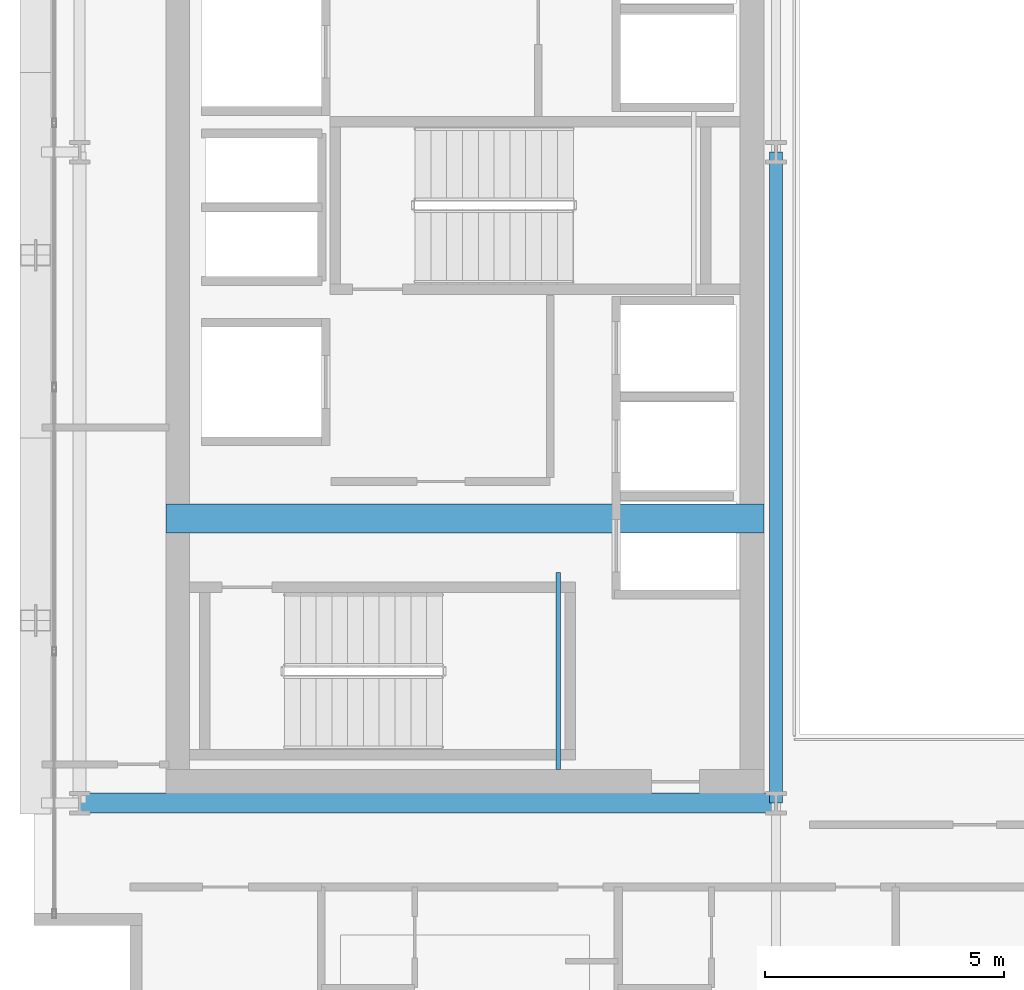
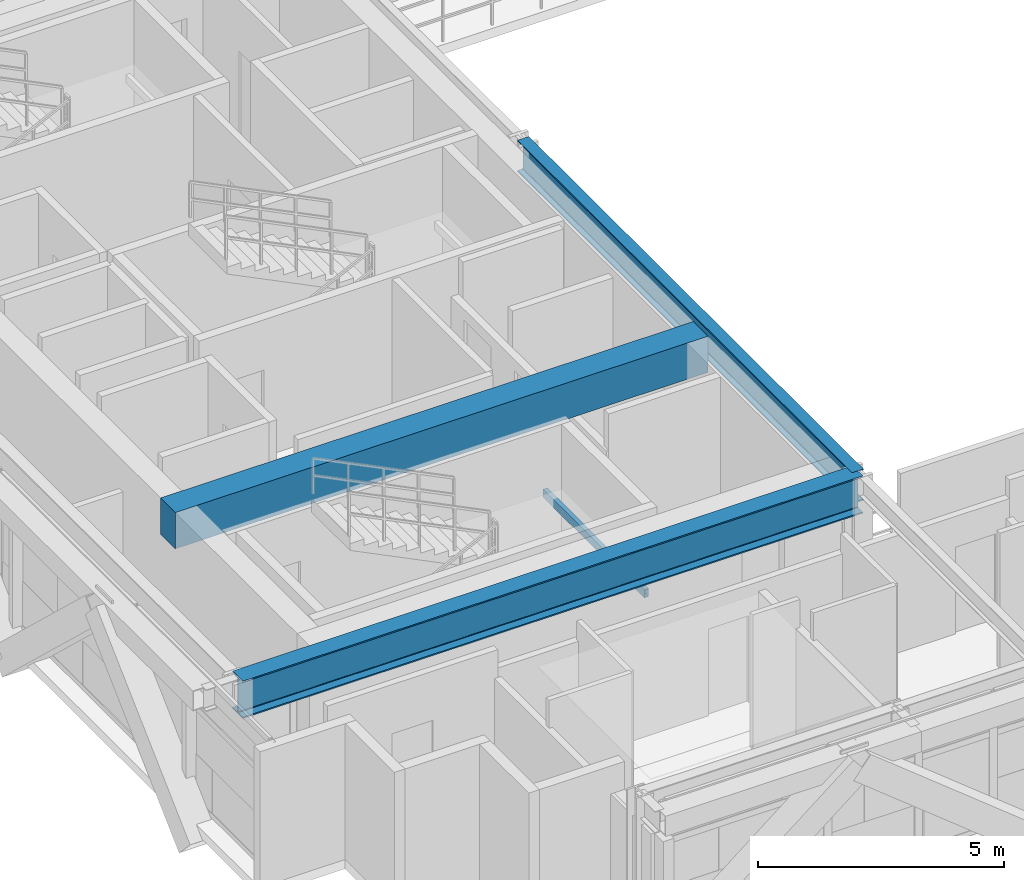
# One storey, part 5 of 31: 4 beams.
"""IFC4 building model written with IfcOpenShell, lengths in metres."""

from ifc_helpers import new_model, si_unit, direction, frame, origin, origin_2d, place, context, subcontext, project, spatial, rectangle, hollow_rectangle, i_section, extrude, source, transform, mapped, material, material_profile, profile_set, type_object, element, save


model = new_model("IFC4")

# Units and contexts
model_context = context("Model", 3, precision=1e-05, world=origin(), true_north=direction((0.0, 1.0)))
body_context = subcontext(model_context, "Body", "Model", "MODEL_VIEW")
ifc_project = project(units=[si_unit("LENGTHUNIT", "METRE"), si_unit("AREAUNIT", "SQUARE_METRE"), si_unit("VOLUMEUNIT", "CUBIC_METRE"), si_unit("PLANEANGLEUNIT", "RADIAN"), si_unit("MASSUNIT", "GRAM", prefix="KILO")], contexts=[model_context])

# Site, building, storey
site_placement = place(None, origin())
site = spatial("IfcSite", under=ifc_project, at=site_placement, CompositionType="ELEMENT")
building_placement = place(site_placement, origin())
building = spatial("IfcBuilding", under=site, at=building_placement, Name="Ocotamira Hotel", CompositionType="ELEMENT")
storey_placement = place(building_placement, frame((0.0, 0.0, 181.199951171875)))
storey = spatial("IfcBuildingStorey", under=building, at=storey_placement, Name="L45", CompositionType="ELEMENT", Elevation=181.199951171875)

# Beams
ifc_material_1 = material(Name="Concrete C50/60", Category="concrete")
ifc_material_profile_1 = material_profile(ifc_material_1, rectangle(XDim=0.60009765625, YDim=0.89990234375, at=origin_2d()), Name="RC600X900")
ifc_profile_set_1 = profile_set([ifc_material_profile_1], Name="Concrete C50/60")
beam_type_1 = type_object("IfcBeamType", Name="BM-LINK-RC600", PredefinedType="LINTEL", material=ifc_profile_set_1)
shared_shape_1 = source(origin(), body_context, "Body", "SweptSolid", [
    extrude(rectangle(XDim=0.60009765625, YDim=0.89990234375, at=origin_2d()), origin(), (0.0, 0.0, 1.0), 12.5),
])
beam_1_placement = place(storey_placement, frame((10.75, 20.5, 2.920166015625), z_axis=(1.0, 0.0, 0.0), x_axis=(0.0, 1.0, 0.0)))
element("IfcBeam", 1, at=beam_1_placement, inside=storey, type_object=beam_type_1, Name="L45 West Core Coupling Beam", PredefinedType="LINTEL", context=body_context, shape_type="MappedRepresentation", body=[
    mapped(shared_shape_1, transform((0.0, 0.0, 0.0), scale=1.0)),
])
ifc_material_2 = material(Name="Steel ASTM A500 Grade C", Category="steel")
ifc_material_profile_2 = material_profile(ifc_material_2, hollow_rectangle(XDim=0.10009765625, YDim=0.199951171875, WallThickness=0.008056640625, at=origin_2d()), Name="HSS200X100X8")
ifc_profile_set_2 = profile_set([ifc_material_profile_2], Name="Steel ASTM A500 Grade C")
beam_type_2 = type_object("IfcBeamType", Name="BM-STLDG-HSS200", PredefinedType="BEAM", material=ifc_profile_set_2)
shared_shape_2 = source(origin(), body_context, "Body", "SweptSolid", [
    extrude(hollow_rectangle(XDim=0.10009765625, YDim=0.199951171875, WallThickness=0.008056640625, at=origin_2d()), origin(), (0.0, 0.0, 1.0), 4.1201171875),
])
beam_2_placement = place(storey_placement, frame((18.949951171875, 15.25, 1.5), z_axis=(0.0, 1.0, 0.0), x_axis=(-1.0, 0.0, 0.0)))
element("IfcBeam", 2, at=beam_2_placement, inside=storey, type_object=beam_type_2, Name="L45 Stair ST-1 Landing Bearer 1", PredefinedType="BEAM", context=body_context, shape_type="MappedRepresentation", body=[
    mapped(shared_shape_2, transform((0.0, 0.0, 0.0), scale=1.0)),
])
ifc_material_3 = material(Name="Steel ASTM A992 Grade 50", Category="steel")
ifc_material_profile_3 = material_profile(ifc_material_3, i_section(OverallWidth=0.41796875, OverallDepth=0.927001953125, WebThickness=0.019287109375, FlangeThickness=0.031982421875, FilletRadius=0.02392578125, at=origin_2d()), Name="W36X231")
ifc_profile_set_3 = profile_set([ifc_material_profile_3], Name="Steel ASTM A992 Grade 50")
beam_type_3 = type_object("IfcBeamType", Name="BM-GIRD-W36X231", PredefinedType="BEAM", material=ifc_profile_set_3)
shared_shape_3 = source(origin(), body_context, "Body", "SweptSolid", [
    extrude(i_section(OverallWidth=0.41796875, OverallDepth=0.927001953125, WebThickness=0.019287109375, FlangeThickness=0.031982421875, FilletRadius=0.02392578125, at=origin_2d()), origin(), (0.0, 0.0, 1.0), 14.550048828125),
])
beam_3_placement = place(storey_placement, frame((8.949951171875, 14.550048828125, 2.906494140625), z_axis=(1.0, 0.0, 0.0), x_axis=(0.0, 1.0, 0.0)))
element("IfcBeam", 3, at=beam_3_placement, inside=storey, type_object=beam_type_3, Name="L45 Girder Y14.55 X8.95-23.5", PredefinedType="BEAM", context=body_context, shape_type="MappedRepresentation", body=[
    mapped(shared_shape_3, transform((0.0, 0.0, 0.0), scale=1.0)),
])
ifc_material_profile_4 = material_profile(ifc_material_3, i_section(OverallWidth=0.26611328125, OverallDepth=0.779052734375, WebThickness=0.0166015625, FlangeThickness=0.030029296875, FilletRadius=0.01806640625, at=origin_2d()), Name="W30X148")
ifc_profile_set_4 = profile_set([ifc_material_profile_4], Name="Steel ASTM A992 Grade 50")
beam_type_4 = type_object("IfcBeamType", Name="BM-GIRD-W30X148", PredefinedType="BEAM", material=ifc_profile_set_4)
shared_shape_4 = source(origin(), body_context, "Body", "SweptSolid", [
    extrude(i_section(OverallWidth=0.26611328125, OverallDepth=0.779052734375, WebThickness=0.0166015625, FlangeThickness=0.030029296875, FilletRadius=0.01806640625, at=origin_2d()), origin(), (0.0, 0.0, 1.0), 13.599853515625),
])
beam_4_placement = place(storey_placement, frame((23.5, 14.550048828125, 2.98046875), z_axis=(0.0, 1.0, 0.0), x_axis=(-1.0, 0.0, 0.0)))
element("IfcBeam", 4, at=beam_4_placement, inside=storey, type_object=beam_type_4, Name="L45 Beam X23.5 Y14.55-28.15", PredefinedType="BEAM", context=body_context, shape_type="MappedRepresentation", body=[
    mapped(shared_shape_4, transform((0.0, 0.0, 0.0), scale=1.0)),
])

save(model, "model.ifc")
